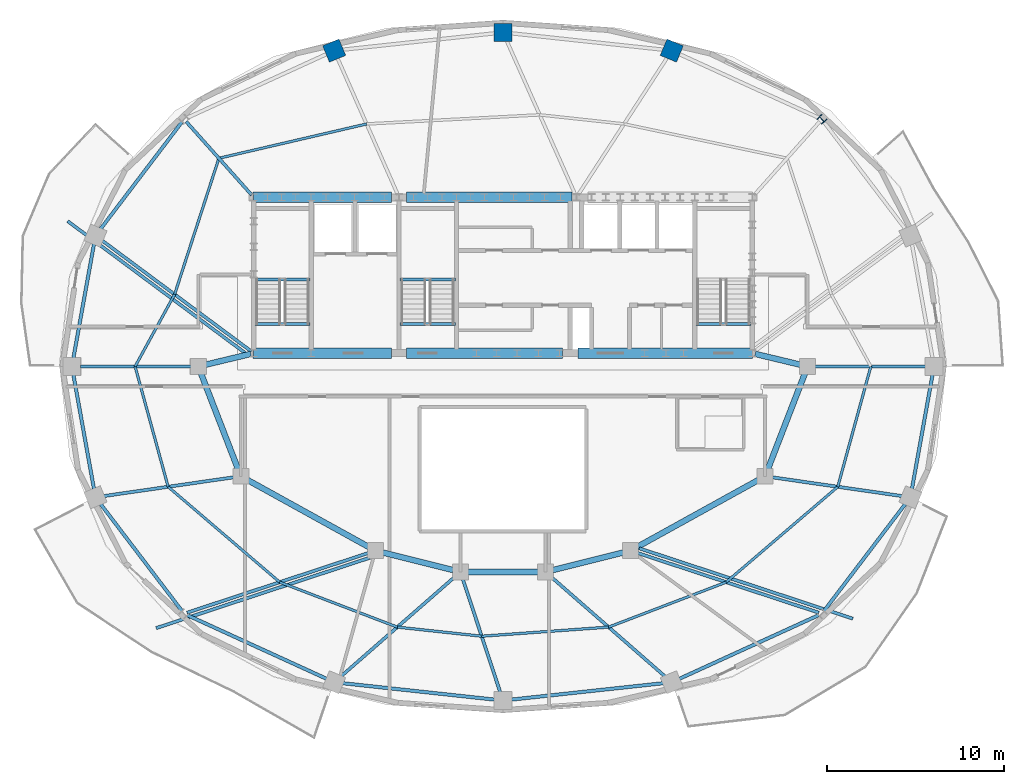
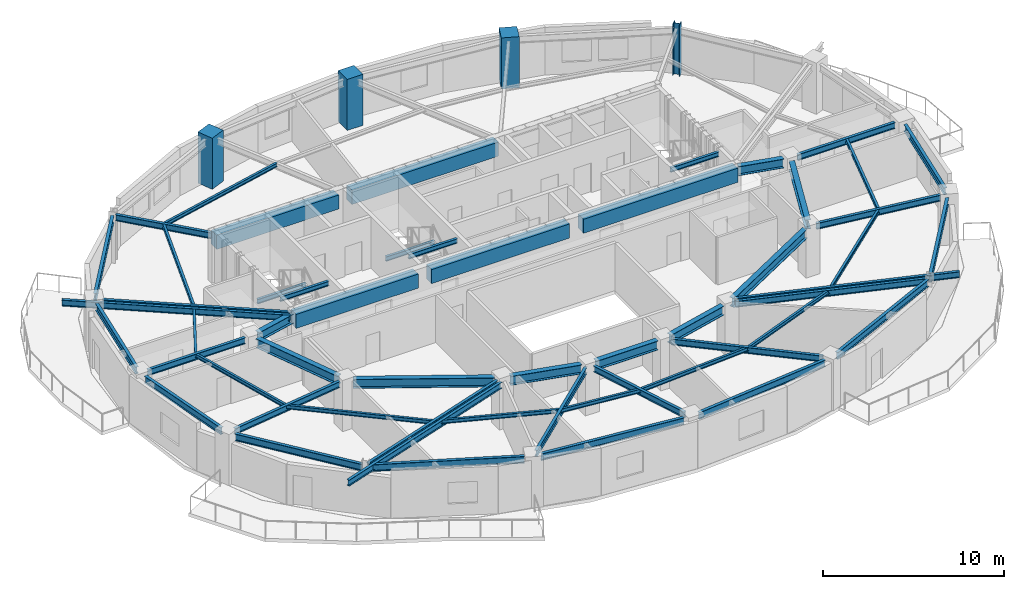
# One storey, part 2 of 10: 54 beams, 4 columns.
"""IFC4 building model written with IfcOpenShell, lengths in metres."""

from ifc_helpers import new_model, si_unit, direction, frame, origin, origin_2d, place, context, subcontext, project, spatial, rectangle, i_section, extrude, material, material_profile, profile_set, type_object, element, save


model = new_model("IFC4")

# Units and contexts
model_context = context("Model", 3, precision=1e-05, world=origin(), true_north=direction((0.0, 1.0)))
body_context = subcontext(model_context, "Body", "Model", "MODEL_VIEW")
ifc_project = project(units=[si_unit("LENGTHUNIT", "METRE"), si_unit("AREAUNIT", "SQUARE_METRE"), si_unit("VOLUMEUNIT", "CUBIC_METRE"), si_unit("PLANEANGLEUNIT", "RADIAN"), si_unit("MASSUNIT", "GRAM", prefix="KILO")], contexts=[model_context])

# Site, building, storey
site_placement = place(None, origin())
site = spatial("IfcSite", under=ifc_project, at=site_placement, CompositionType="ELEMENT")
building_placement = place(site_placement, origin())
building = spatial("IfcBuilding", under=site, at=building_placement, Name="Haldorwick Loom Tower", CompositionType="ELEMENT")
storey_placement = place(building_placement, frame((0.0, 0.0, 262.64990234375)))
storey = spatial("IfcBuildingStorey", under=building, at=storey_placement, Name="L71", CompositionType="ELEMENT", Elevation=262.64990234375)

# Columns
ifc_material_1 = material(Name="Concrete C60 (60 MPa)", Category="concrete")
ifc_material_profile_1 = material_profile(ifc_material_1, rectangle(XDim=1.0, YDim=1.0, at=origin_2d()), Name="RC1000X1000", Category="concrete")
ifc_profile_set_1 = profile_set([ifc_material_profile_1], Name="Concrete C60 (60 MPa)")
column_type_1 = type_object("IfcColumnType", Name="STR-COL-RC1000", PredefinedType="COLUMN", material=ifc_profile_set_1)
for number, where, z_axis, x_axis, name in (
    (1, (45.52880859375, 43.830810546875, 0.0), (0.0, 0.0, 1.0), (0.382683432365, 0.923879532511, 0.0), "L71 Perimeter Pier Column P04"),
    (2, (36.0, 44.860107421875, 0.0), (0.0, 0.0, 1.0), (0.0, 1.0, 0.0), "L71 Perimeter Pier Column P05"),
    (3, (26.47119140625, 43.830810546875, 0.0), (0.0, 0.0, 1.0), (-0.382683432365, 0.923879532511, 0.0), "L71 Perimeter Pier Column P06"),
):
    element("IfcColumn", number, at=place(storey_placement, frame(where, z_axis=z_axis, x_axis=x_axis)), inside=storey, type_object=column_type_1, Name=name, PredefinedType="COLUMN", context=body_context, shape_type="SweptSolid", body=[
        extrude(rectangle(XDim=1.0, YDim=1.0, at=origin_2d()), origin(), (0.0, 0.0, 1.0), 3.4501953125),
    ])
ifc_material_2 = material(Name="Steel CSA G40.21 350W", Category="steel")
ifc_material_profile_2 = material_profile(ifc_material_2, i_section(OverallWidth=0.406005859375, OverallDepth=0.416015625, WebThickness=0.024169921875, FlangeThickness=0.03857421875, at=origin_2d()), Name="W360X382", Category="steel")
ifc_profile_set_2 = profile_set([ifc_material_profile_2], Name="Steel CSA G40.21 350W")
column_type_2 = type_object("IfcColumnType", Name="STR-COL-W360X382", PredefinedType="COLUMN", material=ifc_profile_set_2)
column_placement = place(storey_placement, frame((54.005126953125, 39.958251953125, 0.0), z_axis=(0.0, 0.0, 1.0), x_axis=(0.707106781187, 0.707106781187, 0.0)))
element("IfcColumn", 4, at=column_placement, inside=storey, type_object=column_type_2, Name="L71 Perimeter Pier Column P03", PredefinedType="COLUMN", context=body_context, shape_type="SweptSolid", body=[
    extrude(i_section(OverallWidth=0.406005859375, OverallDepth=0.416015625, WebThickness=0.024169921875, FlangeThickness=0.03857421875, at=origin_2d()), origin(), (0.0, 0.0, 1.0), 3.4501953125),
])

# Beams
ifc_material_profile_3 = material_profile(ifc_material_2, i_section(OverallWidth=0.179931640625, OverallDepth=0.4130859375, WebThickness=0.009765625, FlangeThickness=0.01611328125, at=origin_2d()), Name="W410X74", Category="steel")
ifc_profile_set_3 = profile_set([ifc_material_profile_3], Name="Steel CSA G40.21 350W")
beam_type_1 = type_object("IfcBeamType", Name="STR-BM-BAL410", PredefinedType="BEAM", material=ifc_profile_set_3)
beam_1_placement = place(storey_placement, frame((43.69140625, 15.73291015625, 3.003662109375), z_axis=(0.949822733783, -0.312788705661, 0.0), x_axis=(0.312788705661, 0.949822733783, 0.0)))
element("IfcBeam", 5, at=beam_1_placement, inside=storey, type_object=beam_type_1, Name="L71 Continuous Back-Spanned Balcony Beam 1", PredefinedType="BEAM", context=body_context, shape_type="SweptSolid", body=[
    extrude(i_section(OverallWidth=0.179931640625, OverallDepth=0.4130859375, WebThickness=0.009765625, FlangeThickness=0.01611328125, at=origin_2d()), origin(), (0.0, 0.0, 1.0), 12.70068359375),
])
beam_2_placement = place(storey_placement, frame((28.48388671875, 15.201171875, 3.003662109375), z_axis=(-0.949818903584, -0.312800336309, 0.0), x_axis=(0.312800336309, -0.949818903584, 0.0)))
element("IfcBeam", 6, at=beam_2_placement, inside=storey, type_object=beam_type_1, Name="L71 Continuous Back-Spanned Balcony Beam 2", PredefinedType="BEAM", context=body_context, shape_type="SweptSolid", body=[
    extrude(i_section(OverallWidth=0.179931640625, OverallDepth=0.4130859375, WebThickness=0.009765625, FlangeThickness=0.01611328125, at=origin_2d()), origin(), (0.0, 0.0, 1.0), 12.701171875),
])
beam_3_placement = place(storey_placement, frame((21.62548828125, 26.62744140625, 3.003662109375), z_axis=(-0.802806117906, 0.596240167258, 0.0), x_axis=(-0.596240167258, -0.802806117906, 0.0)))
element("IfcBeam", 7, at=beam_3_placement, inside=storey, type_object=beam_type_1, Name="L71 Continuous Back-Spanned Balcony Beam 3", PredefinedType="BEAM", context=body_context, shape_type="SweptSolid", body=[
    extrude(i_section(OverallWidth=0.179931640625, OverallDepth=0.4130859375, WebThickness=0.009765625, FlangeThickness=0.01611328125, at=origin_2d()), origin(), (0.0, 0.0, 1.0), 12.707763671875),
])
ifc_material_3 = material(Name="Concrete C50 (50 MPa)", Category="concrete")
ifc_material_profile_4 = material_profile(ifc_material_3, rectangle(XDim=0.60009765625, YDim=0.949951171875, at=origin_2d()), Name="RC600X950", Category="concrete")
ifc_profile_set_4 = profile_set([ifc_material_profile_4], Name="Concrete C50 (50 MPa)")
beam_type_2 = type_object("IfcBeamType", Name="STR-BM-CB950", PredefinedType="LINTEL", material=ifc_profile_set_4)
beam_4_placement = place(storey_placement, frame((21.89990234375, 35.550048828125, 2.735107421875), z_axis=(1.0, 0.0, 0.0), x_axis=(0.0, 1.0, 0.0)))
element("IfcBeam", 8, at=beam_4_placement, inside=storey, type_object=beam_type_2, Name="L71 Core Coupling Beam CB-N1", PredefinedType="LINTEL", context=body_context, shape_type="SweptSolid", body=[
    extrude(rectangle(XDim=0.60009765625, YDim=0.949951171875, at=origin_2d()), origin(), (0.0, 0.0, 1.0), 7.800048828125),
])
beam_5_placement = place(storey_placement, frame((30.550048828125, 35.550048828125, 2.735107421875), z_axis=(1.0, 0.0, 0.0), x_axis=(0.0, 1.0, 0.0)))
element("IfcBeam", 9, at=beam_5_placement, inside=storey, type_object=beam_type_2, Name="L71 Core Coupling Beam CB-N2", PredefinedType="LINTEL", context=body_context, shape_type="SweptSolid", body=[
    extrude(rectangle(XDim=0.60009765625, YDim=0.949951171875, at=origin_2d()), origin(), (0.0, 0.0, 1.0), 9.349853515625),
])
beam_6_placement = place(storey_placement, frame((21.89990234375, 26.75, 2.735107421875), z_axis=(1.0, 0.0, 0.0), x_axis=(0.0, 1.0, 0.0)))
element("IfcBeam", 10, at=beam_6_placement, inside=storey, type_object=beam_type_2, Name="L71 Core Coupling Beam CB-S1", PredefinedType="LINTEL", context=body_context, shape_type="SweptSolid", body=[
    extrude(rectangle(XDim=0.60009765625, YDim=0.949951171875, at=origin_2d()), origin(), (0.0, 0.0, 1.0), 7.800048828125),
])
beam_7_placement = place(storey_placement, frame((30.550048828125, 26.75, 2.735107421875), z_axis=(1.0, 0.0, 0.0), x_axis=(0.0, 1.0, 0.0)))
element("IfcBeam", 11, at=beam_7_placement, inside=storey, type_object=beam_type_2, Name="L71 Core Coupling Beam CB-S2", PredefinedType="LINTEL", context=body_context, shape_type="SweptSolid", body=[
    extrude(rectangle(XDim=0.60009765625, YDim=0.949951171875, at=origin_2d()), origin(), (0.0, 0.0, 1.0), 8.800048828125),
])
beam_8_placement = place(storey_placement, frame((40.25, 26.75, 2.735107421875), z_axis=(1.0, 0.0, 0.0), x_axis=(0.0, 1.0, 0.0)))
element("IfcBeam", 12, at=beam_8_placement, inside=storey, type_object=beam_type_2, Name="L71 Core Coupling Beam CB-S3", PredefinedType="LINTEL", context=body_context, shape_type="SweptSolid", body=[
    extrude(rectangle(XDim=0.60009765625, YDim=0.949951171875, at=origin_2d()), origin(), (0.0, 0.0, 1.0), 9.85009765625),
])
ifc_material_profile_5 = material_profile(ifc_material_2, i_section(OverallWidth=0.14599609375, OverallDepth=0.258056640625, WebThickness=0.006103515625, FlangeThickness=0.009033203125, at=origin_2d()), Name="W250X33", Category="steel")
ifc_profile_set_5 = profile_set([ifc_material_profile_5], Name="Steel CSA G40.21 350W")
beam_type_3 = type_object("IfcBeamType", Name="STR-BM-J250", PredefinedType="JOIST", material=ifc_profile_set_5)
beam_9_placement = place(storey_placement, frame((28.300537109375, 39.6904296875, 3.0810546875), z_axis=(-0.974080706337, -0.226200746112, 0.0), x_axis=(0.226200746112, -0.974080706337, 0.0)))
element("IfcBeam", 13, at=beam_9_placement, inside=storey, type_object=beam_type_3, Name="L71 Mid-Bay Secondary Joist 6", PredefinedType="JOIST", context=body_context, shape_type="SweptSolid", body=[
    extrude(i_section(OverallWidth=0.14599609375, OverallDepth=0.258056640625, WebThickness=0.006103515625, FlangeThickness=0.009033203125, at=origin_2d()), origin(), (0.0, 0.0, 1.0), 8.56005859375),
])
beam_10_placement = place(storey_placement, frame((19.96240234375, 37.754150390625, 3.0810546875), z_axis=(-0.309277990337, -0.95097167397, 0.0), x_axis=(0.95097167397, -0.309277990337, 0.0)))
element("IfcBeam", 14, at=beam_10_placement, inside=storey, type_object=beam_type_3, Name="L71 Mid-Bay Secondary Joist 7", PredefinedType="JOIST", context=body_context, shape_type="SweptSolid", body=[
    extrude(i_section(OverallWidth=0.14599609375, OverallDepth=0.258056640625, WebThickness=0.006103515625, FlangeThickness=0.009033203125, at=origin_2d()), origin(), (0.0, 0.0, 1.0), 8.08251953125),
])
beam_11_placement = place(storey_placement, frame((17.462646484375, 30.06787109375, 3.0810546875), z_axis=(-0.480863931781, -0.876795232145, 0.0), x_axis=(0.876795232145, -0.480863931781, 0.0)))
element("IfcBeam", 15, at=beam_11_placement, inside=storey, type_object=beam_type_3, Name="L71 Mid-Bay Secondary Joist 8", PredefinedType="JOIST", context=body_context, shape_type="SweptSolid", body=[
    extrude(i_section(OverallWidth=0.14599609375, OverallDepth=0.258056640625, WebThickness=0.006103515625, FlangeThickness=0.009033203125, at=origin_2d()), origin(), (0.0, 0.0, 1.0), 4.639404296875),
])
beam_12_placement = place(storey_placement, frame((15.231689453125, 26.0, 3.0810546875), z_axis=(0.264879381431, -0.964281552915, 0.0), x_axis=(0.964281552915, 0.264879381431, 0.0)))
element("IfcBeam", 16, at=beam_12_placement, inside=storey, type_object=beam_type_3, Name="L71 Mid-Bay Secondary Joist 9", PredefinedType="JOIST", context=body_context, shape_type="SweptSolid", body=[
    extrude(i_section(OverallWidth=0.14599609375, OverallDepth=0.258056640625, WebThickness=0.006103515625, FlangeThickness=0.009033203125, at=origin_2d()), origin(), (0.0, 0.0, 1.0), 7.044677734375),
])
beam_13_placement = place(storey_placement, frame((17.09765625, 19.20703125, 3.0810546875), z_axis=(0.760066902561, -0.649844830426, 0.0), x_axis=(0.649844830426, 0.760066902561, 0.0)))
element("IfcBeam", 17, at=beam_13_placement, inside=storey, type_object=beam_type_3, Name="L71 Mid-Bay Secondary Joist 10", PredefinedType="JOIST", context=body_context, shape_type="SweptSolid", body=[
    extrude(i_section(OverallWidth=0.14599609375, OverallDepth=0.258056640625, WebThickness=0.006103515625, FlangeThickness=0.009033203125, at=origin_2d()), origin(), (0.0, 0.0, 1.0), 8.28857421875),
])
beam_14_placement = place(storey_placement, frame((23.3974609375, 13.82080078125, 3.0810546875), z_axis=(0.934134056558, -0.356922350628, 0.0), x_axis=(0.356922350628, 0.934134056558, 0.0)))
element("IfcBeam", 18, at=beam_14_placement, inside=storey, type_object=beam_type_3, Name="L71 Mid-Bay Secondary Joist 11", PredefinedType="JOIST", context=body_context, shape_type="SweptSolid", body=[
    extrude(i_section(OverallWidth=0.14599609375, OverallDepth=0.258056640625, WebThickness=0.006103515625, FlangeThickness=0.009033203125, at=origin_2d()), origin(), (0.0, 0.0, 1.0), 7.106201171875),
])
beam_15_placement = place(storey_placement, frame((30.03564453125, 11.284423828125, 3.0810546875), z_axis=(0.994221899005, -0.107344378232, 0.0), x_axis=(0.107344378232, 0.994221899005, 0.0)))
element("IfcBeam", 19, at=beam_15_placement, inside=storey, type_object=beam_type_3, Name="L71 Mid-Bay Secondary Joist 12", PredefinedType="JOIST", context=body_context, shape_type="SweptSolid", body=[
    extrude(i_section(OverallWidth=0.14599609375, OverallDepth=0.258056640625, WebThickness=0.006103515625, FlangeThickness=0.009033203125, at=origin_2d()), origin(), (0.0, 0.0, 1.0), 4.7919921875),
])
beam_16_placement = place(storey_placement, frame((34.800048828125, 10.77001953125, 3.0810546875), z_axis=(0.997432233153, 0.071616620046, 0.0), x_axis=(-0.071616620046, 0.997432233153, 0.0)))
element("IfcBeam", 20, at=beam_16_placement, inside=storey, type_object=beam_type_3, Name="L71 Mid-Bay Secondary Joist 13", PredefinedType="JOIST", context=body_context, shape_type="SweptSolid", body=[
    extrude(i_section(OverallWidth=0.14599609375, OverallDepth=0.258056640625, WebThickness=0.006103515625, FlangeThickness=0.009033203125, at=origin_2d()), origin(), (0.0, 0.0, 1.0), 7.182861328125),
])
beam_17_placement = place(storey_placement, frame((41.96435546875, 11.284423828125, 3.0810546875), z_axis=(0.934134056558, 0.356922350628, 0.0), x_axis=(-0.356922350628, 0.934134056558, 0.0)))
element("IfcBeam", 21, at=beam_17_placement, inside=storey, type_object=beam_type_3, Name="L71 Mid-Bay Secondary Joist 14", PredefinedType="JOIST", context=body_context, shape_type="SweptSolid", body=[
    extrude(i_section(OverallWidth=0.14599609375, OverallDepth=0.258056640625, WebThickness=0.006103515625, FlangeThickness=0.009033203125, at=origin_2d()), origin(), (0.0, 0.0, 1.0), 7.106201171875),
])
beam_18_placement = place(storey_placement, frame((48.6025390625, 13.82080078125, 3.0810546875), z_axis=(0.760066902561, 0.649844830426, 0.0), x_axis=(-0.649844830426, 0.760066902561, 0.0)))
element("IfcBeam", 22, at=beam_18_placement, inside=storey, type_object=beam_type_3, Name="L71 Mid-Bay Secondary Joist 15", PredefinedType="JOIST", context=body_context, shape_type="SweptSolid", body=[
    extrude(i_section(OverallWidth=0.14599609375, OverallDepth=0.258056640625, WebThickness=0.006103515625, FlangeThickness=0.009033203125, at=origin_2d()), origin(), (0.0, 0.0, 1.0), 8.28857421875),
])
beam_19_placement = place(storey_placement, frame((54.90234375, 19.20703125, 3.0810546875), z_axis=(0.264879381431, 0.964281552915, 0.0), x_axis=(-0.964281552915, 0.264879381431, 0.0)))
element("IfcBeam", 23, at=beam_19_placement, inside=storey, type_object=beam_type_3, Name="L71 Mid-Bay Secondary Joist 16", PredefinedType="JOIST", context=body_context, shape_type="SweptSolid", body=[
    extrude(i_section(OverallWidth=0.14599609375, OverallDepth=0.258056640625, WebThickness=0.006103515625, FlangeThickness=0.009033203125, at=origin_2d()), origin(), (0.0, 0.0, 1.0), 7.044677734375),
])
ifc_material_profile_6 = material_profile(ifc_material_2, i_section(OverallWidth=0.179931640625, OverallDepth=0.4130859375, WebThickness=0.009765625, FlangeThickness=0.01611328125, at=origin_2d()), Name="W410X74", Category="steel")
ifc_profile_set_6 = profile_set([ifc_material_profile_6], Name="Steel CSA G40.21 350W")
beam_type_4 = type_object("IfcBeamType", Name="STR-BM-J410", PredefinedType="JOIST", material=ifc_profile_set_6)
beam_20_placement = place(storey_placement, frame((53.625, 26.0, 3.003662109375), z_axis=(1.0, 0.0, 0.0), x_axis=(0.0, 1.0, 0.0)))
element("IfcBeam", 24, at=beam_20_placement, inside=storey, type_object=beam_type_4, Name="L71 Radial Floor Girder 1", PredefinedType="JOIST", context=body_context, shape_type="SweptSolid", body=[
    extrude(i_section(OverallWidth=0.179931640625, OverallDepth=0.4130859375, WebThickness=0.009765625, FlangeThickness=0.01611328125, at=origin_2d()), origin(), (0.0, 0.0, 1.0), 6.23681640625),
])
beam_21_placement = place(storey_placement, frame((21.81591796875, 35.677978515625, 3.003662109375), z_axis=(-0.665970391236, 0.745978175282, 0.0), x_axis=(-0.745978175282, -0.665970391236, 0.0)))
element("IfcBeam", 25, at=beam_21_placement, inside=storey, type_object=beam_type_4, Name="L71 Radial Floor Girder 7", PredefinedType="JOIST", context=body_context, shape_type="SweptSolid", body=[
    extrude(i_section(OverallWidth=0.179931640625, OverallDepth=0.4130859375, WebThickness=0.009765625, FlangeThickness=0.01611328125, at=origin_2d()), origin(), (0.0, 0.0, 1.0), 5.559814453125),
])
beam_22_placement = place(storey_placement, frame((21.792236328125, 26.852294921875, 3.003662109375), z_axis=(-0.802802773234, 0.596244670658, 0.0), x_axis=(-0.596244670658, -0.802802773234, 0.0)))
element("IfcBeam", 26, at=beam_22_placement, inside=storey, type_object=beam_type_4, Name="L71 Radial Floor Girder 8", PredefinedType="JOIST", context=body_context, shape_type="SweptSolid", body=[
    extrude(i_section(OverallWidth=0.179931640625, OverallDepth=0.4130859375, WebThickness=0.009765625, FlangeThickness=0.01611328125, at=origin_2d()), origin(), (0.0, 0.0, 1.0), 10.482666015625),
])
beam_23_placement = place(storey_placement, frame((18.375, 26.0, 3.003662109375), z_axis=(-1.0, 0.0, 0.0), x_axis=(0.0, -1.0, 0.0)))
element("IfcBeam", 27, at=beam_23_placement, inside=storey, type_object=beam_type_4, Name="L71 Radial Floor Girder 9", PredefinedType="JOIST", context=body_context, shape_type="SweptSolid", body=[
    extrude(i_section(OverallWidth=0.179931640625, OverallDepth=0.4130859375, WebThickness=0.009765625, FlangeThickness=0.01611328125, at=origin_2d()), origin(), (0.0, 0.0, 1.0), 6.23681640625),
])
beam_24_placement = place(storey_placement, frame((20.779296875, 19.7392578125, 3.003662109375), z_axis=(-0.989714899996, -0.143053894481, 0.0), x_axis=(0.143053894481, -0.989714899996, 0.0)))
element("IfcBeam", 28, at=beam_24_placement, inside=storey, type_object=beam_type_4, Name="L71 Radial Floor Girder 10", PredefinedType="JOIST", context=body_context, shape_type="SweptSolid", body=[
    extrude(i_section(OverallWidth=0.179931640625, OverallDepth=0.4130859375, WebThickness=0.009765625, FlangeThickness=0.01611328125, at=origin_2d()), origin(), (0.0, 0.0, 1.0), 7.3896484375),
])
beam_25_placement = place(storey_placement, frame((28.396240234375, 15.467041015625, 3.003662109375), z_axis=(-0.949823774798, -0.312785544468, 0.0), x_axis=(0.312785544468, -0.949823774798, 0.0)))
element("IfcBeam", 29, at=beam_25_placement, inside=storey, type_object=beam_type_4, Name="L71 Radial Floor Girder 11", PredefinedType="JOIST", context=body_context, shape_type="SweptSolid", body=[
    extrude(i_section(OverallWidth=0.179931640625, OverallDepth=0.4130859375, WebThickness=0.009765625, FlangeThickness=0.01611328125, at=origin_2d()), origin(), (0.0, 0.0, 1.0), 10.77294921875),
])
beam_26_placement = place(storey_placement, frame((33.280029296875, 14.120361328125, 3.003662109375), z_axis=(-0.752929611517, -0.658101056146, 0.0), x_axis=(0.658101056146, -0.752929611517, 0.0)))
element("IfcBeam", 30, at=beam_26_placement, inside=storey, type_object=beam_type_4, Name="L71 Radial Floor Girder 12", PredefinedType="JOIST", context=body_context, shape_type="SweptSolid", body=[
    extrude(i_section(OverallWidth=0.179931640625, OverallDepth=0.4130859375, WebThickness=0.009765625, FlangeThickness=0.01611328125, at=origin_2d()), origin(), (0.0, 0.0, 1.0), 8.568115234375),
])
beam_27_placement = place(storey_placement, frame((33.7333984375, 13.99658203125, 3.003662109375), z_axis=(0.313860075071, -0.949469248199, 0.0), x_axis=(0.949469248199, 0.313860075071, 0.0)))
element("IfcBeam", 31, at=beam_27_placement, inside=storey, type_object=beam_type_4, Name="L71 Radial Floor Girder 13", PredefinedType="JOIST", context=body_context, shape_type="SweptSolid", body=[
    extrude(i_section(OverallWidth=0.179931640625, OverallDepth=0.4130859375, WebThickness=0.009765625, FlangeThickness=0.01611328125, at=origin_2d()), origin(), (0.0, 0.0, 1.0), 6.746337890625),
])
beam_28_placement = place(storey_placement, frame((38.719970703125, 14.120361328125, 3.003662109375), z_axis=(0.752929611517, -0.658101056146, 0.0), x_axis=(0.658101056146, 0.752929611517, 0.0)))
element("IfcBeam", 32, at=beam_28_placement, inside=storey, type_object=beam_type_4, Name="L71 Radial Floor Girder 14", PredefinedType="JOIST", context=body_context, shape_type="SweptSolid", body=[
    extrude(i_section(OverallWidth=0.179931640625, OverallDepth=0.4130859375, WebThickness=0.009765625, FlangeThickness=0.01611328125, at=origin_2d()), origin(), (0.0, 0.0, 1.0), 8.568115234375),
])
beam_29_placement = place(storey_placement, frame((43.603759765625, 15.467041015625, 3.003662109375), z_axis=(0.949823774798, -0.312785544468, 0.0), x_axis=(0.312785544468, 0.949823774798, 0.0)))
element("IfcBeam", 33, at=beam_29_placement, inside=storey, type_object=beam_type_4, Name="L71 Radial Floor Girder 15", PredefinedType="JOIST", context=body_context, shape_type="SweptSolid", body=[
    extrude(i_section(OverallWidth=0.179931640625, OverallDepth=0.4130859375, WebThickness=0.009765625, FlangeThickness=0.01611328125, at=origin_2d()), origin(), (0.0, 0.0, 1.0), 10.77294921875),
])
beam_30_placement = place(storey_placement, frame((51.220703125, 19.7392578125, 3.003662109375), z_axis=(0.989714899996, -0.143053894481, 0.0), x_axis=(0.143053894481, 0.989714899996, 0.0)))
element("IfcBeam", 34, at=beam_30_placement, inside=storey, type_object=beam_type_4, Name="L71 Radial Floor Girder 16", PredefinedType="JOIST", context=body_context, shape_type="SweptSolid", body=[
    extrude(i_section(OverallWidth=0.179931640625, OverallDepth=0.4130859375, WebThickness=0.009765625, FlangeThickness=0.01611328125, at=origin_2d()), origin(), (0.0, 0.0, 1.0), 7.3896484375),
])
ifc_material_profile_7 = material_profile(ifc_material_2, i_section(OverallWidth=0.193115234375, OverallDepth=0.466064453125, WebThickness=0.011474609375, FlangeThickness=0.01904296875, at=origin_2d()), Name="W460X97", Category="steel")
ifc_profile_set_7 = profile_set([ifc_material_profile_7], Name="Steel CSA G40.21 350W")
beam_type_5 = type_object("IfcBeamType", Name="STR-BM-SP460", PredefinedType="SPANDREL", material=ifc_profile_set_7)
beam_31_placement = place(storey_placement, frame((17.886962890625, 39.816650390625, 2.97705078125), z_axis=(-0.605410439126, -0.795913437629, 0.0), x_axis=(0.795913437629, -0.605410439126, 0.0)))
element("IfcBeam", 35, at=beam_31_placement, inside=storey, type_object=beam_type_5, Name="L71 Perimeter Spandrel 7", PredefinedType="SPANDREL", context=body_context, shape_type="SweptSolid", body=[
    extrude(i_section(OverallWidth=0.193115234375, OverallDepth=0.466064453125, WebThickness=0.011474609375, FlangeThickness=0.01904296875, at=origin_2d()), origin(), (0.0, 0.0, 1.0), 7.604736328125),
])
for number, where, z_axis, x_axis, name in (
    (36, (12.9111328125, 32.918212890625, 2.97705078125), (-0.177515201984, -0.984118058499, 0.0), (0.984118058499, -0.177515201984, 0.0), "L71 Perimeter Spandrel 8"),
    (37, (11.74755859375, 25.532470703125, 2.97705078125), (0.177515201984, -0.984118058499, 0.0), (0.984118058499, 0.177515201984, 0.0), "L71 Perimeter Spandrel 9"),
):
    element("IfcBeam", number, at=place(storey_placement, frame(where, z_axis=z_axis, x_axis=x_axis)), inside=storey, type_object=beam_type_5, Name=name, PredefinedType="SPANDREL", context=body_context, shape_type="SweptSolid", body=[
        extrude(i_section(OverallWidth=0.193115234375, OverallDepth=0.466064453125, WebThickness=0.011474609375, FlangeThickness=0.01904296875, at=origin_2d()), origin(), (0.0, 0.0, 1.0), 6.5546875),
    ])
beam_32_placement = place(storey_placement, frame((13.282958984375, 18.236083984375, 2.97705078125), z_axis=(0.605410439126, -0.795913437629, 0.0), x_axis=(0.795913437629, 0.605410439126, 0.0)))
element("IfcBeam", 38, at=beam_32_placement, inside=storey, type_object=beam_type_5, Name="L71 Perimeter Spandrel 10", PredefinedType="SPANDREL", context=body_context, shape_type="SweptSolid", body=[
    extrude(i_section(OverallWidth=0.193115234375, OverallDepth=0.466064453125, WebThickness=0.011474609375, FlangeThickness=0.01904296875, at=origin_2d()), origin(), (0.0, 0.0, 1.0), 7.604736328125),
])
beam_33_placement = place(storey_placement, frame((18.15673828125, 11.9677734375, 2.97705078125), z_axis=(0.909567887863, -0.415555360172, 0.0), x_axis=(0.415555360172, 0.909567887863, 0.0)))
element("IfcBeam", 39, at=beam_33_placement, inside=storey, type_object=beam_type_5, Name="L71 Perimeter Spandrel 11", PredefinedType="SPANDREL", context=body_context, shape_type="SweptSolid", body=[
    extrude(i_section(OverallWidth=0.193115234375, OverallDepth=0.466064453125, WebThickness=0.011474609375, FlangeThickness=0.01904296875, at=origin_2d()), origin(), (0.0, 0.0, 1.0), 8.666259765625),
])
for number, where, z_axis, x_axis, name in (
    (40, (26.943603515625, 8.1181640625, 2.97705078125), (0.994216353781, -0.107395725588, 0.0), (0.107395725588, 0.994216353781, 0.0), "L71 Perimeter Spandrel 12"),
    (41, (36.472412109375, 7.19091796875, 2.97705078125), (0.994216353781, 0.107395725588, 0.0), (-0.107395725588, 0.994216353781, 0.0), "L71 Perimeter Spandrel 13"),
):
    element("IfcBeam", number, at=place(storey_placement, frame(where, z_axis=z_axis, x_axis=x_axis)), inside=storey, type_object=beam_type_5, Name=name, PredefinedType="SPANDREL", context=body_context, shape_type="SweptSolid", body=[
        extrude(i_section(OverallWidth=0.193115234375, OverallDepth=0.466064453125, WebThickness=0.011474609375, FlangeThickness=0.01904296875, at=origin_2d()), origin(), (0.0, 0.0, 1.0), 8.634033203125),
    ])
beam_34_placement = place(storey_placement, frame((45.960693359375, 8.366455078125, 2.97705078125), z_axis=(0.909567887863, 0.415555360172, 0.0), x_axis=(-0.415555360172, 0.909567887863, 0.0)))
element("IfcBeam", 42, at=beam_34_placement, inside=storey, type_object=beam_type_5, Name="L71 Perimeter Spandrel 14", PredefinedType="SPANDREL", context=body_context, shape_type="SweptSolid", body=[
    extrude(i_section(OverallWidth=0.193115234375, OverallDepth=0.466064453125, WebThickness=0.011474609375, FlangeThickness=0.01904296875, at=origin_2d()), origin(), (0.0, 0.0, 1.0), 8.666259765625),
])
beam_35_placement = place(storey_placement, frame((54.113037109375, 12.183349609375, 2.97705078125), z_axis=(0.605410439126, 0.795913437629, 0.0), x_axis=(-0.795913437629, 0.605410439126, 0.0)))
element("IfcBeam", 43, at=beam_35_placement, inside=storey, type_object=beam_type_5, Name="L71 Perimeter Spandrel 15", PredefinedType="SPANDREL", context=body_context, shape_type="SweptSolid", body=[
    extrude(i_section(OverallWidth=0.193115234375, OverallDepth=0.466064453125, WebThickness=0.011474609375, FlangeThickness=0.01904296875, at=origin_2d()), origin(), (0.0, 0.0, 1.0), 7.604736328125),
])
beam_36_placement = place(storey_placement, frame((59.0888671875, 19.081787109375, 2.97705078125), z_axis=(0.177515201984, 0.984118058499, 0.0), x_axis=(-0.984118058499, 0.177515201984, 0.0)))
element("IfcBeam", 44, at=beam_36_placement, inside=storey, type_object=beam_type_5, Name="L71 Perimeter Spandrel 16", PredefinedType="SPANDREL", context=body_context, shape_type="SweptSolid", body=[
    extrude(i_section(OverallWidth=0.193115234375, OverallDepth=0.466064453125, WebThickness=0.011474609375, FlangeThickness=0.01904296875, at=origin_2d()), origin(), (0.0, 0.0, 1.0), 6.5546875),
])
ifc_material_profile_8 = material_profile(ifc_material_2, i_section(OverallWidth=0.166015625, OverallDepth=0.31298828125, WebThickness=0.006591796875, FlangeThickness=0.01123046875, at=origin_2d()), Name="W310X45", Category="steel")
ifc_profile_set_8 = profile_set([ifc_material_profile_8], Name="Steel CSA G40.21 350W")
beam_type_6 = type_object("IfcBeamType", Name="STR-BM-STRM", PredefinedType="BEAM", material=ifc_profile_set_8)
for number, where, z_axis, x_axis, name in (
    (45, (21.989990234375, 28.39990234375, 3.0537109375), (1.0, 0.0, 0.0), (0.0, 1.0, 0.0), "L71 Stair ST-01 Landing Edge Trimmer"),
    (46, (21.989990234375, 30.919921875, 1.36865234375), (1.0, 0.0, 0.0), (0.0, 1.0, 0.0), "L71 Stair ST-01 Half-Landing Trimmer 1"),
    (47, (46.889892578125, 28.39990234375, 3.0537109375), (1.0, 0.0, 0.0), (0.0, 1.0, 0.0), "L71 Stair ST-02 Landing Edge Trimmer"),
    (48, (30.18994140625, 28.39990234375, 3.0537109375), (1.0, 0.0, 0.0), (0.0, 1.0, 0.0), "L71 Stair ST-03 Landing Edge Trimmer"),
    (49, (30.18994140625, 30.919921875, 1.36865234375), (1.0, 0.0, 0.0), (0.0, 1.0, 0.0), "L71 Stair ST-03 Half-Landing Trimmer 1"),
):
    element("IfcBeam", number, at=place(storey_placement, frame(where, z_axis=z_axis, x_axis=x_axis)), inside=storey, type_object=beam_type_6, Name=name, PredefinedType="BEAM", context=body_context, shape_type="SweptSolid", body=[
        extrude(i_section(OverallWidth=0.166015625, OverallDepth=0.31298828125, WebThickness=0.006591796875, FlangeThickness=0.01123046875, at=origin_2d()), origin(), (0.0, 0.0, 1.0), 3.1201171875),
    ])
ifc_material_profile_9 = material_profile(ifc_material_2, i_section(OverallWidth=0.324951171875, OverallDepth=0.615966796875, WebThickness=0.013916015625, FlangeThickness=0.021484375, at=origin_2d()), Name="W610X174", Category="steel")
ifc_profile_set_9 = profile_set([ifc_material_profile_9], Name="Steel CSA G40.21 350W")
beam_type_7 = type_object("IfcBeamType", Name="STR-BM-W610A", PredefinedType="BEAM", material=ifc_profile_set_9)
beam_37_placement = place(storey_placement, frame((50.23681640625, 26.7099609375, 2.902099609375), z_axis=(0.972483573168, -0.232971457302, 0.0), x_axis=(0.232971457302, 0.972483573168, 0.0)))
element("IfcBeam", 50, at=beam_37_placement, inside=storey, type_object=beam_type_7, Name="L71 Inner Ring Girder 1", PredefinedType="BEAM", context=body_context, shape_type="SweptSolid", body=[
    extrude(i_section(OverallWidth=0.324951171875, OverallDepth=0.615966796875, WebThickness=0.013916015625, FlangeThickness=0.021484375, at=origin_2d()), origin(), (0.0, 0.0, 1.0), 2.6220703125),
])
beam_38_placement = place(storey_placement, frame((53.046630859375, 25.603759765625, 2.902099609375), z_axis=(-0.361001189766, -0.932565354808, 0.0), x_axis=(0.932565354808, -0.361001189766, 0.0)))
element("IfcBeam", 51, at=beam_38_placement, inside=storey, type_object=beam_type_7, Name="L71 Inner Ring Girder 2", PredefinedType="BEAM", context=body_context, shape_type="SweptSolid", body=[
    extrude(i_section(OverallWidth=0.324951171875, OverallDepth=0.615966796875, WebThickness=0.013916015625, FlangeThickness=0.021484375, at=origin_2d()), origin(), (0.0, 0.0, 1.0), 5.798583984375),
])
beam_39_placement = place(storey_placement, frame((50.427978515625, 19.594482421875, 2.902099609375), z_axis=(-0.875241535439, -0.48368611169, 0.0), x_axis=(0.48368611169, -0.875241535439, 0.0)))
element("IfcBeam", 52, at=beam_39_placement, inside=storey, type_object=beam_type_7, Name="L71 Inner Ring Girder 3", PredefinedType="BEAM", context=body_context, shape_type="SweptSolid", body=[
    extrude(i_section(OverallWidth=0.324951171875, OverallDepth=0.615966796875, WebThickness=0.013916015625, FlangeThickness=0.021484375, at=origin_2d()), origin(), (0.0, 0.0, 1.0), 7.833251953125),
])
beam_40_placement = place(storey_placement, frame((42.78759765625, 15.496826171875, 2.902099609375), z_axis=(-0.97015301348, -0.242493567823, 0.0), x_axis=(0.242493567823, -0.97015301348, 0.0)))
element("IfcBeam", 53, at=beam_40_placement, inside=storey, type_object=beam_type_7, Name="L71 Inner Ring Girder 4", PredefinedType="BEAM", context=body_context, shape_type="SweptSolid", body=[
    extrude(i_section(OverallWidth=0.324951171875, OverallDepth=0.615966796875, WebThickness=0.013916015625, FlangeThickness=0.021484375, at=origin_2d()), origin(), (0.0, 0.0, 1.0), 4.09765625),
])
beam_41_placement = place(storey_placement, frame((37.97509765625, 14.39990234375, 2.902099609375), z_axis=(-1.0, 0.0, 0.0), x_axis=(0.0, -1.0, 0.0)))
element("IfcBeam", 54, at=beam_41_placement, inside=storey, type_object=beam_type_7, Name="L71 Inner Ring Girder 5", PredefinedType="BEAM", context=body_context, shape_type="SweptSolid", body=[
    extrude(i_section(OverallWidth=0.324951171875, OverallDepth=0.615966796875, WebThickness=0.013916015625, FlangeThickness=0.021484375, at=origin_2d()), origin(), (0.0, 0.0, 1.0), 3.9501953125),
])
beam_42_placement = place(storey_placement, frame((33.187744140625, 14.503173828125, 2.902099609375), z_axis=(-0.97015301348, 0.242493567823, 0.0), x_axis=(-0.242493567823, -0.97015301348, 0.0)))
element("IfcBeam", 55, at=beam_42_placement, inside=storey, type_object=beam_type_7, Name="L71 Inner Ring Girder 6", PredefinedType="BEAM", context=body_context, shape_type="SweptSolid", body=[
    extrude(i_section(OverallWidth=0.324951171875, OverallDepth=0.615966796875, WebThickness=0.013916015625, FlangeThickness=0.021484375, at=origin_2d()), origin(), (0.0, 0.0, 1.0), 4.09765625),
])
beam_43_placement = place(storey_placement, frame((28.427978515625, 15.8056640625, 2.902099609375), z_axis=(-0.875241535439, 0.48368611169, 0.0), x_axis=(-0.48368611169, -0.875241535439, 0.0)))
element("IfcBeam", 56, at=beam_43_placement, inside=storey, type_object=beam_type_7, Name="L71 Inner Ring Girder 7", PredefinedType="BEAM", context=body_context, shape_type="SweptSolid", body=[
    extrude(i_section(OverallWidth=0.324951171875, OverallDepth=0.615966796875, WebThickness=0.013916015625, FlangeThickness=0.021484375, at=origin_2d()), origin(), (0.0, 0.0, 1.0), 7.833251953125),
])
beam_44_placement = place(storey_placement, frame((21.046630859375, 20.1962890625, 2.902099609375), z_axis=(-0.361001189766, 0.932565354808, 0.0), x_axis=(-0.932565354808, -0.361001189766, 0.0)))
element("IfcBeam", 57, at=beam_44_placement, inside=storey, type_object=beam_type_7, Name="L71 Inner Ring Girder 8", PredefinedType="BEAM", context=body_context, shape_type="SweptSolid", body=[
    extrude(i_section(OverallWidth=0.324951171875, OverallDepth=0.615966796875, WebThickness=0.013916015625, FlangeThickness=0.021484375, at=origin_2d()), origin(), (0.0, 0.0, 1.0), 5.798583984375),
])
beam_45_placement = place(storey_placement, frame((19.21337890625, 26.09912109375, 2.902099609375), z_axis=(0.972483573168, 0.232971457302, 0.0), x_axis=(-0.232971457302, 0.972483573168, 0.0)))
element("IfcBeam", 58, at=beam_45_placement, inside=storey, type_object=beam_type_7, Name="L71 Inner Ring Girder 9", PredefinedType="BEAM", context=body_context, shape_type="SweptSolid", body=[
    extrude(i_section(OverallWidth=0.324951171875, OverallDepth=0.615966796875, WebThickness=0.013916015625, FlangeThickness=0.021484375, at=origin_2d()), origin(), (0.0, 0.0, 1.0), 2.6220703125),
])

save(model, "model.ifc")
